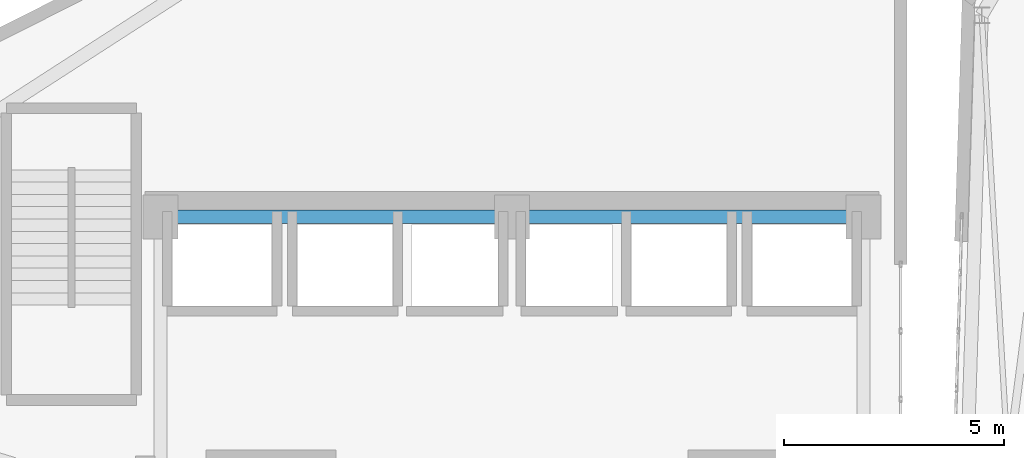
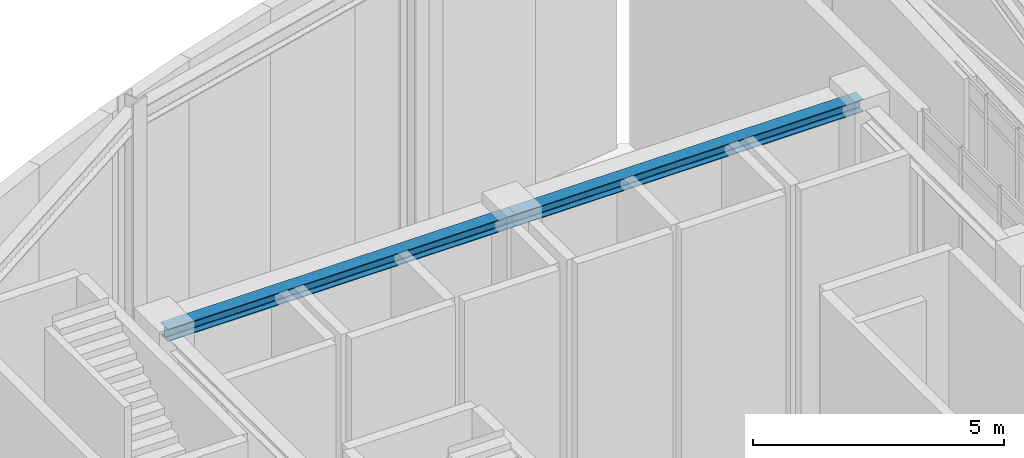
# One storey, part 7 of 12: 2 beams.
"""IFC4 building model written with IfcOpenShell, lengths in metres."""

from ifc_helpers import new_model, si_unit, direction, frame, origin, origin_2d, place, context, subcontext, project, spatial, i_section, extrude, material, material_profile, profile_set, type_object, element, save


model = new_model("IFC4")

# Units and contexts
model_context = context("Model", 3, precision=1e-05, world=origin(), true_north=direction((0.0, 1.0)))
body_context = subcontext(model_context, "Body", "Model", "MODEL_VIEW")
ifc_project = project(units=[si_unit("LENGTHUNIT", "METRE"), si_unit("AREAUNIT", "SQUARE_METRE"), si_unit("VOLUMEUNIT", "CUBIC_METRE"), si_unit("PLANEANGLEUNIT", "RADIAN"), si_unit("MASSUNIT", "GRAM", prefix="KILO")], contexts=[model_context])

# Site, building, storey
site_placement = place(None, origin())
site = spatial("IfcSite", under=ifc_project, at=site_placement, CompositionType="ELEMENT")
building_placement = place(site_placement, origin())
building = spatial("IfcBuilding", under=site, at=building_placement, Name="Ndelora Gate Hotel", CompositionType="ELEMENT")
storey_placement = place(building_placement, frame((0.0, 0.0, 303.60009765625)))
storey = spatial("IfcBuildingStorey", under=building, at=storey_placement, Name="RF1", CompositionType="ELEMENT", Elevation=303.60009765625)

# Beams
ifc_material = material(Name="Steel S355", Category="steel")
ifc_material_profile = material_profile(ifc_material, i_section(OverallWidth=0.300048828125, OverallDepth=0.300048828125, WebThickness=0.010986328125, FlangeThickness=0.01904296875, FilletRadius=0.027099609375, at=origin_2d()), Name="HEB 300")
ifc_profile_set = profile_set([ifc_material_profile], Name="Steel S355")
beam_type = type_object("IfcBeamType", Name="BM-CORE-300", PredefinedType="BEAM", material=ifc_profile_set)
for number, where, z_axis, x_axis, name in (
    (1, (-8.0, 6.60009765625, 7.56982421875), (1.0, 0.0, 0.0), (0.0, 1.0, 0.0), "RF1 Core Tie Girder CC7-CC6"),
    (2, (0.0, 6.60009765625, 7.56982421875), (1.0, 0.0, 0.0), (0.0, 1.0, 0.0), "RF1 Core Tie Girder CC6-CC5"),
):
    element("IfcBeam", number, at=place(storey_placement, frame(where, z_axis=z_axis, x_axis=x_axis)), inside=storey, type_object=beam_type, Name=name, PredefinedType="BEAM", context=body_context, shape_type="SweptSolid", body=[
        extrude(i_section(OverallWidth=0.300048828125, OverallDepth=0.300048828125, WebThickness=0.010986328125, FlangeThickness=0.01904296875, FilletRadius=0.027099609375, at=origin_2d()), origin(), (0.0, 0.0, 1.0), 8.0),
    ])

save(model, "model.ifc")
